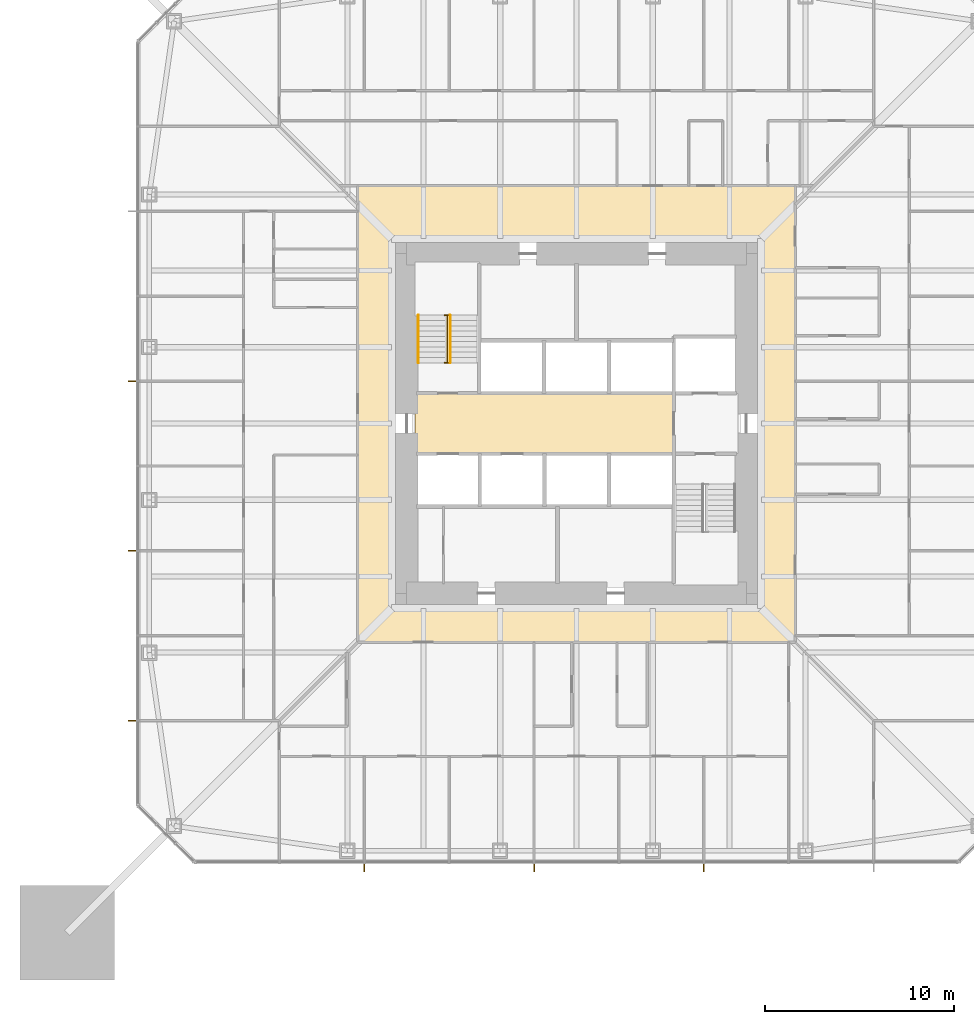
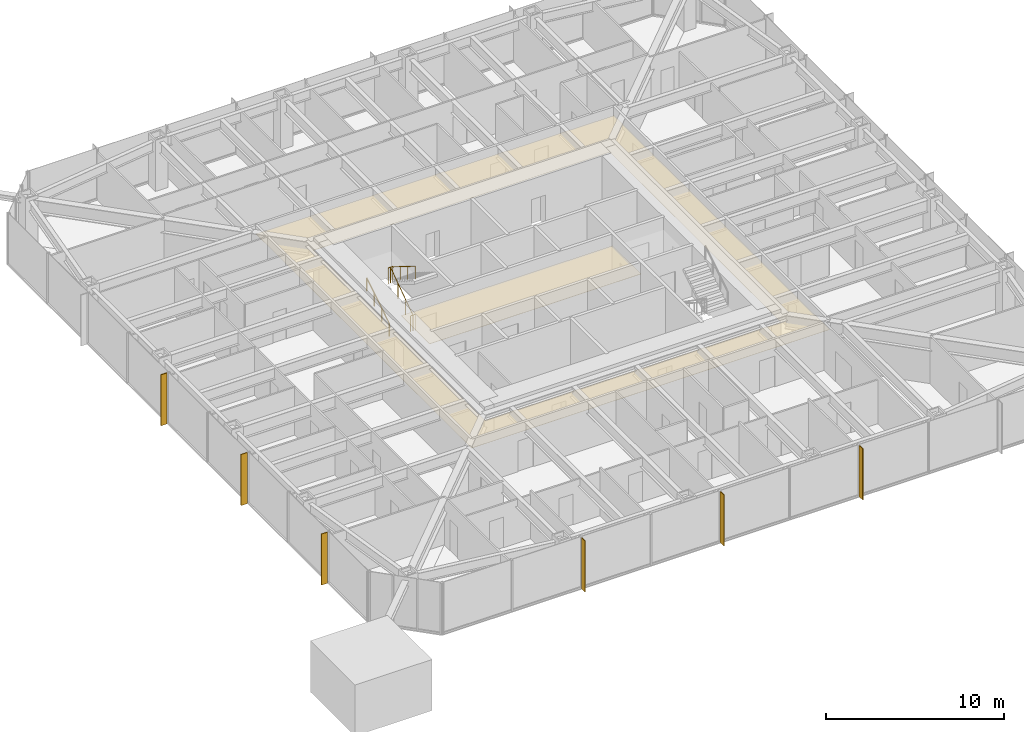
# One storey, part 23 of 26: 6 shading devices, 3 railings, 2 coverings.
"""IFC4 building model written with IfcOpenShell, lengths in metres."""

from ifc_helpers import new_model, si_unit, direction, frame, origin, origin_2d, place, context, subcontext, project, spatial, polyline, rectangle, circle, outline, extrude, material, layer, layer_set, constituent, constituent_set, type_object, element, save


model = new_model("IFC4")

# Units and contexts
model_context = context("Model", 3, precision=1e-05, world=origin(), true_north=direction((0.0, 1.0)))
body_context = subcontext(model_context, "Body", "Model", "MODEL_VIEW")
ifc_project = project(units=[si_unit("LENGTHUNIT", "METRE"), si_unit("AREAUNIT", "SQUARE_METRE"), si_unit("VOLUMEUNIT", "CUBIC_METRE"), si_unit("PLANEANGLEUNIT", "RADIAN"), si_unit("MASSUNIT", "GRAM", prefix="KILO")], contexts=[model_context])

# Site, building, storey
site_placement = place(None, origin())
site = spatial("IfcSite", under=ifc_project, at=site_placement, CompositionType="ELEMENT")
building_placement = place(site_placement, origin())
building = spatial("IfcBuilding", under=site, at=building_placement, Name="Iwan Alto Co-Living Towers", CompositionType="ELEMENT")
storey_placement = place(building_placement, frame((0.0, 0.0, 39.5)))
storey = spatial("IfcBuildingStorey", under=building, at=storey_placement, Name="L10", CompositionType="ELEMENT", Elevation=39.5)

# Covering
ifc_material_1 = material(Name="Mineral fibre acoustic tiles on steel grid", Category="steel")
ifc_layer_1 = layer(ifc_material_1, 0.02001953125)
ifc_layer_set_1 = layer_set([ifc_layer_1], Name="ACOUSTIC TILE CEILING 20")
covering_type_1 = type_object("IfcCoveringType", Name="ACOUSTIC TILE CEILING 20", PredefinedType="CEILING", material=ifc_layer_set_1)
covering_1_placement = place(storey_placement, frame((0.0, 0.0, 2.60009765625)))
element("IfcCovering", 1, at=covering_1_placement, inside=storey, type_object=covering_type_1, Name="Ceiling Lift lobby L10", PredefinedType="CEILING", context=body_context, shape_type="SweptSolid", body=[
    extrude(outline(polyline([(-8.550048828125, -1.60009765625), (-8.550048828125, 1.60009765625), (5.14990234375, 1.60009765625), (5.14990234375, -1.60009765625), (-8.550048828125, -1.60009765625)])), origin(), (0.0, 0.0, 1.0), 0.02001953125),
])

# Shading devices
ifc_material_2 = material(Name="Aluminium 6063-T6 bronze anodised", Category="aluminium")
ifc_layer_2 = layer(ifc_material_2, 0.050048828125)
ifc_layer_set_2 = layer_set([ifc_layer_2], Name="BRONZE FIN 50X400")
shading_device_type = type_object("IfcShadingDeviceType", Name="BRONZE FIN 50X400", PredefinedType="USERDEFINED", material=ifc_layer_set_2)
for number, where, z_axis, x_axis, name in (
    (2, (-11.25, -23.550048828125, 0.0), (0.0, 0.0, 1.0), (1.0, 0.0, 0.0), "Bronze fin L10"),
    (3, (-2.25, -23.550048828125, 0.0), (0.0, 0.0, 1.0), (1.0, 0.0, 0.0), "Bronze fin L10"),
    (4, (6.75, -23.550048828125, 0.0), (0.0, 0.0, 1.0), (1.0, 0.0, 0.0), "Bronze fin L10"),
    (5, (-23.550048828125, 2.25, 0.0), (0.0, 0.0, 1.0), (0.0, -1.0, 0.0), "Bronze fin L10"),
    (6, (-23.550048828125, -6.75, 0.0), (0.0, 0.0, 1.0), (0.0, -1.0, 0.0), "Bronze fin L10"),
    (7, (-23.550048828125, -15.75, 0.0), (0.0, 0.0, 1.0), (0.0, -1.0, 0.0), "Bronze fin L10"),
):
    element("IfcShadingDevice", number, at=place(storey_placement, frame(where, z_axis=z_axis, x_axis=x_axis)), inside=storey, type_object=shading_device_type, Name=name, ObjectType="LOUVER", PredefinedType="USERDEFINED", context=body_context, shape_type="SweptSolid", body=[
        extrude(rectangle(XDim=0.050048828125, YDim=0.39990234375, at=origin_2d()), origin(), (0.0, 0.0, 1.0), 3.5),
    ])

# Railings
ifc_material_3 = material(Name="Steel ASTM A500 Gr C", Category="steel")
ifc_constituent_1 = constituent(ifc_material_3, Name="Rails and posts", Category="Framing")
ifc_material_4 = material(Name="Steel ASTM A36", Category="steel")
ifc_constituent_2 = constituent(ifc_material_4, Name="Bar infill", Category="Infill")
ifc_constituent_set = constituent_set(constituents=[ifc_constituent_1, ifc_constituent_2], Name="STAIR GUARD 1100")
railing_type_1 = type_object("IfcRailingType", Name="STAIR GUARD 1100", PredefinedType="GUARDRAIL", material=ifc_constituent_set)
railing_1_placement = place(storey_placement, frame((-6.85009765625, 3.219970703125, 0.0)))
element("IfcRailing", 8, at=railing_1_placement, inside=storey, type_object=railing_type_1, Name="Stair T1-S1 well guard L10", PredefinedType="GUARDRAIL", context=body_context, shape_type="SweptSolid", body=[
    extrude(circle(Radius=0.02392578125, at=origin_2d()), frame((0.0, 0.0, 1.076171875), z_axis=(0.0, 0.821372036852, 0.570392826987), x_axis=(-1.0, 0.0, 0.0)), (0.0, 0.0, 1.0), 3.068115234375),
    extrude(circle(Radius=0.02392578125, at=origin_2d()), frame((-0.14990234375, 0.0, 1.076171875), z_axis=(1.0, 0.0, 0.0), x_axis=(0.0, 1.0, 0.0)), (0.0, 0.0, 1.0), 0.300048828125),
    extrude(circle(Radius=0.02392578125, at=origin_2d()), frame((-0.14990234375, 2.52001953125, 2.826171875), z_axis=(1.0, 0.0, 0.0), x_axis=(0.0, 1.0, 0.0)), (0.0, 0.0, 1.0), 0.300048828125),
    extrude(circle(Radius=0.02099609375, at=origin_2d()), origin(), (0.0, 0.0, 1.0), 1.052001953125),
    extrude(circle(Radius=0.02099609375, at=origin_2d()), frame((0.0, 0.840087890625, 0.583251953125)), (0.0, 0.0, 1.0), 1.052001953125),
    extrude(circle(Radius=0.02099609375, at=origin_2d()), frame((0.0, 1.679931640625, 1.166748046875)), (0.0, 0.0, 1.0), 1.052001953125),
    extrude(circle(Radius=0.02099609375, at=origin_2d()), frame((0.0, 2.52001953125, 1.75)), (0.0, 0.0, 1.0), 1.052001953125),
    extrude(circle(Radius=0.02099609375, at=origin_2d()), frame((-0.14990234375, 0.0, 0.0)), (0.0, 0.0, 1.0), 1.052001953125),
    extrude(circle(Radius=0.02099609375, at=origin_2d()), frame((0.150146484375, 0.0, 0.0)), (0.0, 0.0, 1.0), 1.052001953125),
    extrude(circle(Radius=0.02099609375, at=origin_2d()), frame((-0.14990234375, 2.52001953125, 1.75)), (0.0, 0.0, 1.0), 1.052001953125),
    extrude(circle(Radius=0.02099609375, at=origin_2d()), frame((0.150146484375, 2.52001953125, 1.75)), (0.0, 0.0, 1.0), 1.052001953125),
])
ifc_material_5 = material(Name="Steel ASTM A500 Gr C", Category="steel")
railing_type_2 = type_object("IfcRailingType", Name="STAIR HANDRAIL 900", PredefinedType="HANDRAIL", material=ifc_material_5)
railing_2_placement = place(storey_placement, frame((-8.3798828125, 3.219970703125, 0.175048828125)))
element("IfcRailing", 9, at=railing_2_placement, inside=storey, type_object=railing_type_2, Name="Stair T1-S1 handrail 1 L10", PredefinedType="HANDRAIL", context=body_context, shape_type="SweptSolid", body=[
    extrude(circle(Radius=0.02392578125, at=origin_2d()), frame((0.0, 0.0, 0.8759765625), z_axis=(0.0, 0.848007534815, 0.529984170421), x_axis=(-1.0, 0.0, 0.0)), (0.0, 0.0, 1.0), 2.9716796875),
    extrude(circle(Radius=0.02099609375, at=origin_2d()), origin(), (0.0, 0.0, 1.0), 0.851806640625),
    extrude(circle(Radius=0.02099609375, at=origin_2d()), frame((0.0, 0.840087890625, 0.52490234375)), (0.0, 0.0, 1.0), 0.851806640625),
    extrude(circle(Radius=0.02099609375, at=origin_2d()), frame((0.0, 1.679931640625, 1.050048828125)), (0.0, 0.0, 1.0), 0.851806640625),
    extrude(circle(Radius=0.02099609375, at=origin_2d()), frame((0.0, 2.52001953125, 1.574951171875)), (0.0, 0.0, 1.0), 0.851806640625),
])
railing_3_placement = place(storey_placement, frame((-6.699951171875, 5.739990234375, 1.925048828125)))
element("IfcRailing", 10, at=railing_3_placement, inside=storey, type_object=railing_type_2, Name="Stair T1-S1 handrail 2 L10", PredefinedType="HANDRAIL", context=body_context, shape_type="SweptSolid", body=[
    extrude(circle(Radius=0.02392578125, at=origin_2d()), frame((0.0, 0.0, 0.8759765625), z_axis=(0.0, -0.848007534815, 0.529984170421), x_axis=(1.0, 0.0, 0.0)), (0.0, 0.0, 1.0), 2.9716796875),
    extrude(circle(Radius=0.02099609375, at=origin_2d()), origin(), (0.0, 0.0, 1.0), 0.851806640625),
    extrude(circle(Radius=0.02099609375, at=origin_2d()), frame((0.0, -0.840087890625, 0.52490234375)), (0.0, 0.0, 1.0), 0.851806640625),
    extrude(circle(Radius=0.02099609375, at=origin_2d()), frame((0.0, -1.679931640625, 1.050048828125)), (0.0, 0.0, 1.0), 0.851806640625),
    extrude(circle(Radius=0.02099609375, at=origin_2d()), frame((0.0, -2.52001953125, 1.574951171875)), (0.0, 0.0, 1.0), 0.851806640625),
])

# Covering
ifc_material_6 = material(Name="Gypsum plasterboard on steel grid", Category="steel")
ifc_layer_3 = layer(ifc_material_6, 0.014892578125)
ifc_layer_set_3 = layer_set([ifc_layer_3], Name="SUSPENDED PLASTERBOARD CEILING 15")
covering_type_2 = type_object("IfcCoveringType", Name="SUSPENDED PLASTERBOARD CEILING 15", PredefinedType="CEILING", material=ifc_layer_set_3)
covering_2_placement = place(storey_placement, frame((0.0, 0.0, 2.60009765625)))
element("IfcCovering", 11, at=covering_2_placement, inside=storey, type_object=covering_type_2, Name="Ceiling Corridor L10", PredefinedType="CEILING", context=body_context, shape_type="SweptSolid", body=[
    extrude(outline(polyline([(-11.60009765625, 12.60009765625), (11.60009765625, 12.60009765625), (11.60009765625, -11.60009765625), (-11.60009765625, -11.60009765625), (-11.60009765625, 12.60009765625)]), holes=[polyline([(-9.60009765625, 9.60009765625), (-9.60009765625, -9.60009765625), (9.60009765625, -9.60009765625), (9.60009765625, 9.60009765625), (-9.60009765625, 9.60009765625)])]), origin(), (0.0, 0.0, 1.0), 0.014892578125),
])

save(model, "model.ifc")
